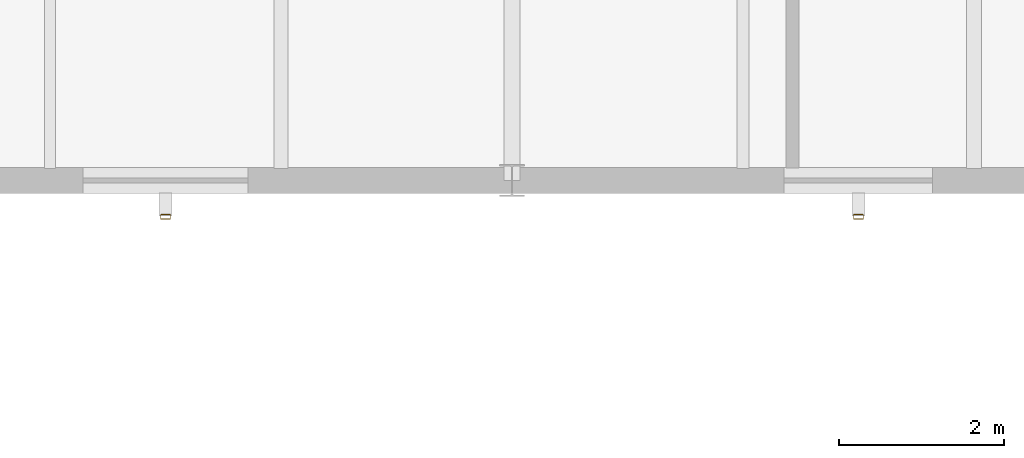
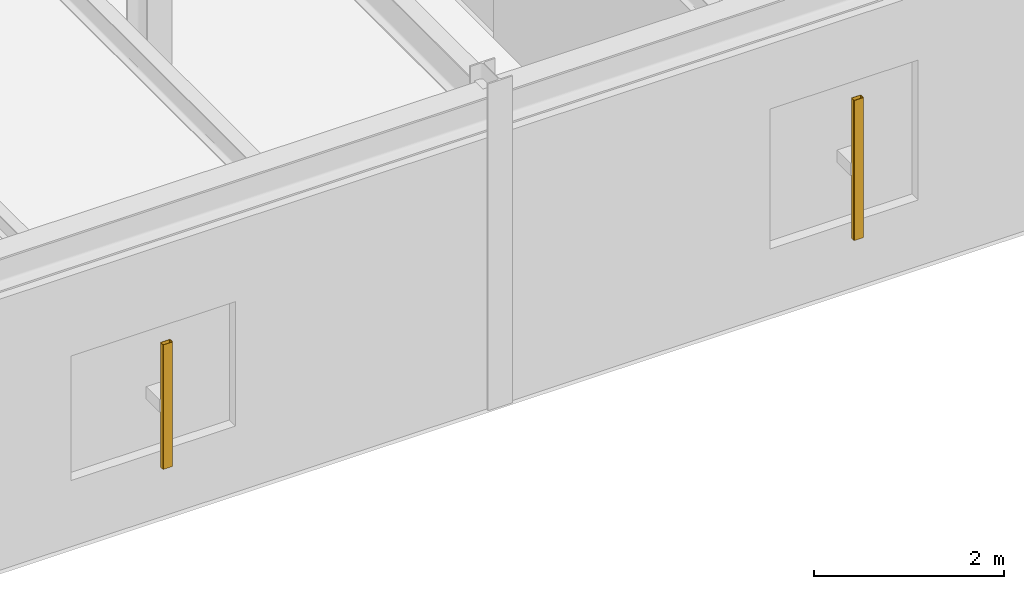
# One storey, part 94 of 109: 2 shading devices.
"""IFC4 building model written with IfcOpenShell, lengths in metres."""

from ifc_helpers import new_model, si_unit, derived_unit, direction, frame, origin, origin_2d, place, context, subcontext, project, spatial, hollow_rectangle, extrude, material, material_profile, profile_set, type_object, element, save


model = new_model("IFC4")

# Units and contexts
model_context = context("Model", 3, precision=1e-05, world=origin(), true_north=direction((0.0, 1.0)))
body_context = subcontext(model_context, "Body", "Model", "MODEL_VIEW")
ifc_project = project(units=[si_unit("LENGTHUNIT", "METRE"), si_unit("AREAUNIT", "SQUARE_METRE"), si_unit("VOLUMEUNIT", "CUBIC_METRE"), si_unit("PLANEANGLEUNIT", "RADIAN"), si_unit("MASSUNIT", "GRAM", prefix="KILO"), derived_unit("THERMALTRANSMITTANCEUNIT", [(si_unit("MASSUNIT", "GRAM", prefix="KILO"), 1), (si_unit("TIMEUNIT", "SECOND"), -3), (si_unit("THERMODYNAMICTEMPERATUREUNIT", "KELVIN"), -1)])], contexts=[model_context])

# Site, building, storey
site_placement = place(None, origin())
site = spatial("IfcSite", under=ifc_project, at=site_placement, CompositionType="ELEMENT")
building_placement = place(site_placement, origin())
building = spatial("IfcBuilding", under=site, at=building_placement, Name="Kharveza Railside Sports Centre", CompositionType="ELEMENT")
storey_placement = place(building_placement, frame((0.0, 0.0, 4.5)))
storey = spatial("IfcBuildingStorey", under=building, at=storey_placement, Name="L01", CompositionType="ELEMENT", Elevation=4.5)

# Shading devices
ifc_material = material(Name="Anodised aluminium 6063-T6", Category="aluminium")
ifc_material_profile = material_profile(ifc_material, hollow_rectangle(XDim=0.06005859375, YDim=0.1201171875, WallThickness=0.0048828125, InnerFilletRadius=0.0048828125, OuterFilletRadius=0.010009765625, at=origin_2d()), Name="RHS 60x120x5.0")
ifc_profile_set = profile_set([ifc_material_profile], Name="Anodised aluminium 6063-T6")
shading_device_type = type_object("IfcShadingDeviceType", Name="SD-LV01", PredefinedType="JALOUSIE", material=ifc_profile_set)
shading_device_1_placement = place(storey_placement, frame((147.0, 6.760009765625, 0.85009765625), z_axis=(0.0, 0.0, 1.0), x_axis=(0.0, -1.0, 0.0)))
element("IfcShadingDevice", 1, at=shading_device_1_placement, inside=storey, type_object=shading_device_type, Name="SD-FIN-035", PredefinedType="JALOUSIE", context=body_context, shape_type="SweptSolid", body=[
    extrude(hollow_rectangle(XDim=0.06005859375, YDim=0.1201171875, WallThickness=0.0048828125, InnerFilletRadius=0.0048828125, OuterFilletRadius=0.010009765625, at=origin_2d()), origin(), (0.0, 0.0, 1.0), 1.599853515625),
])
shading_device_2_placement = place(storey_placement, frame((155.39990234375, 6.760009765625, 0.85009765625), z_axis=(0.0, 0.0, 1.0), x_axis=(0.0, -1.0, 0.0)))
element("IfcShadingDevice", 2, at=shading_device_2_placement, inside=storey, type_object=shading_device_type, Name="SD-FIN-036", PredefinedType="JALOUSIE", context=body_context, shape_type="SweptSolid", body=[
    extrude(hollow_rectangle(XDim=0.06005859375, YDim=0.1201171875, WallThickness=0.0048828125, InnerFilletRadius=0.0048828125, OuterFilletRadius=0.010009765625, at=origin_2d()), origin(), (0.0, 0.0, 1.0), 1.7998046875),
])

save(model, "model.ifc")
